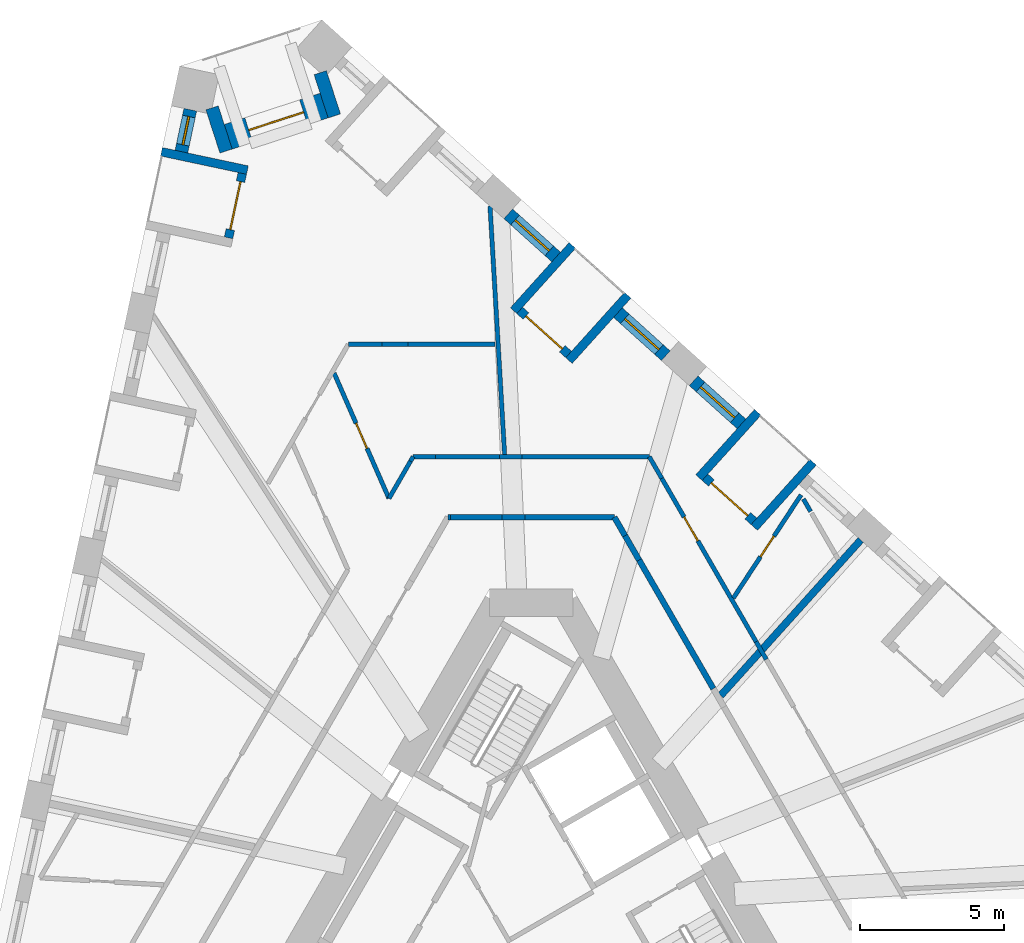
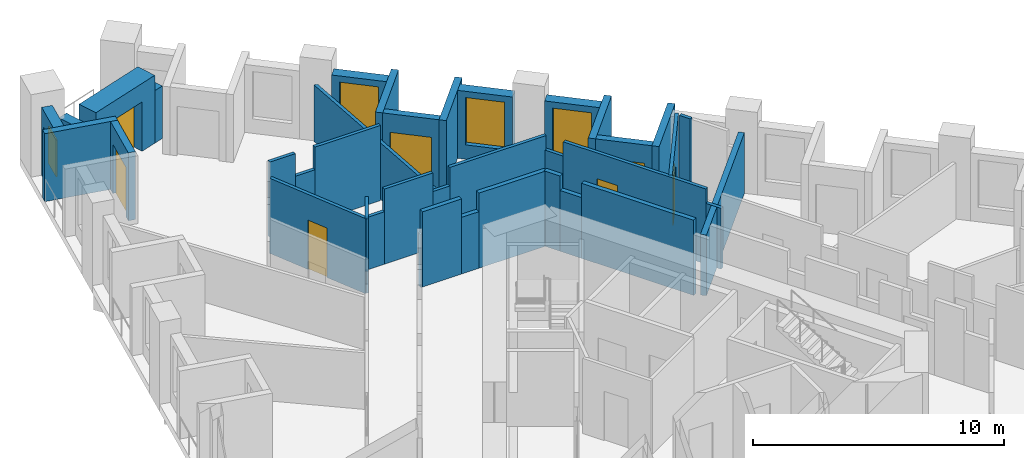
# One storey, part 8 of 12: 39 walls, 7 doors, 4 windows, 11 openings.
"""IFC4 building model written with IfcOpenShell, lengths in metres."""

import ifcopenshell
import ifcopenshell.guid

model = None  # the IFC model being written
_history = None  # IfcOwnerHistory: only IFC2X3 demands one
_inside = {}  # id of a spatial element -> (the spatial element, [elements in it])
_under = {}  # id of a project, library or spatial element -> (it, [spatial elements below it])
_declared = {}  # id of a project -> (the project, [libraries it declares])
_typed = {}  # id of a type object -> (the type object, [elements of that type])
_made_of = {}  # id of a material, layer set ... -> (it, [elements and type objects made of it])


def new_model(schema):
    """Start an empty IFC model of exactly this schema.

    Asked for "IFC4X3", IfcOpenShell would pick the latest addendum, in which some entities
    have other attributes; the version numbers below select the first issue.
    IFC2X3 requires an IfcOwnerHistory on every rooted entity: one is made here for all.
    """
    global model, _history
    if schema == "IFC4X3":
        model = ifcopenshell.file(schema_version=(4, 3, 0, 0))
    else:
        model = ifcopenshell.file(schema=schema)
    _inside.clear()
    _under.clear()
    _declared.clear()
    _typed.clear()
    _made_of.clear()
    _history = None
    if model.schema == "IFC2X3":
        org = make("IfcOrganization", Name="unknown")
        user = make(
            "IfcPersonAndOrganization",
            ThePerson=make("IfcPerson", FamilyName="unknown"),
            TheOrganization=org,
        )
        app = make(
            "IfcApplication",
            ApplicationDeveloper=org,
            Version="unknown",
            ApplicationFullName="unknown",
            ApplicationIdentifier="unknown",
        )
        _history = make(
            "IfcOwnerHistory",
            OwningUser=user,
            OwningApplication=app,
            ChangeAction="ADDED",
            CreationDate=0,
        )
    return model


def make(cls, **values):
    """One entity of the class cls with the attributes given. An attribute that is None is left unset."""
    return model.create_entity(
        cls, **{name: value for name, value in values.items() if value is not None}
    )


def rooted(cls, **values):
    """An entity with a GlobalId (a new one), such as an element, a storey or a relation."""
    return make(cls, GlobalId=ifcopenshell.guid.new(), OwnerHistory=_history, **values)


def si_unit(unit_type, name, prefix=None):
    """IfcSIUnit, for example si_unit("LENGTHUNIT", "METRE", prefix="MILLI")."""
    return make("IfcSIUnit", UnitType=unit_type, Prefix=prefix, Name=name)


def assignment(units):
    """IfcUnitAssignment: the units of a project."""
    return None if units is None else make("IfcUnitAssignment", Units=units)


def point(xyz):
    """IfcCartesianPoint."""
    return None if xyz is None else make("IfcCartesianPoint", Coordinates=xyz)


def direction(xyz):
    """IfcDirection."""
    return None if xyz is None else make("IfcDirection", DirectionRatios=xyz)


def frame(location, z_axis=None, x_axis=None):
    """IfcAxis2Placement3D, a coordinate frame: its origin and axes. An axis left out is left unset."""
    return make(
        "IfcAxis2Placement3D",
        Location=point(location),
        Axis=direction(z_axis),
        RefDirection=direction(x_axis),
    )


def frame_2d(location, x_axis=None):
    """IfcAxis2Placement2D, a coordinate frame in the plane: its origin and x axis."""
    return make(
        "IfcAxis2Placement2D", Location=point(location), RefDirection=direction(x_axis)
    )


def origin():
    """The frame at (0, 0, 0) with its axes left unset."""
    return frame((0.0, 0.0, 0.0))


def place(relative_to, where):
    """IfcLocalPlacement: puts the frame where relative to a parent placement (None: the world)."""
    return make(
        "IfcLocalPlacement", PlacementRelTo=relative_to, RelativePlacement=where
    )


def context(
    kind, dimensions, precision=None, world=None, true_north=None, identifier=None
):
    """IfcGeometricRepresentationContext, for example the 3D "Model" context."""
    return make(
        "IfcGeometricRepresentationContext",
        ContextIdentifier=identifier,
        ContextType=kind,
        CoordinateSpaceDimension=dimensions,
        Precision=precision,
        WorldCoordinateSystem=world,
        TrueNorth=true_north,
    )


def subcontext(parent, identifier, kind, view, scale=None):
    """IfcGeometricRepresentationSubContext, for example "Body" below "Model"."""
    return make(
        "IfcGeometricRepresentationSubContext",
        ContextIdentifier=identifier,
        ContextType=kind,
        ParentContext=parent,
        TargetScale=scale,
        TargetView=view,
    )


def project(units=None, contexts=None):
    """IfcProject with its units and contexts."""
    return rooted(
        "IfcProject",
        Name="project",
        RepresentationContexts=contexts,
        UnitsInContext=assignment(units),
    )


def spatial(cls, under=None, at=None, **own):
    """A site, building, storey or space (cls), placed at a placement, below another one or the project."""
    s = rooted(cls, ObjectPlacement=at, **own)
    if under is not None:
        _under.setdefault(under.id(), (under, []))[1].append(s)
    return s


def profile(cls, at=None, kind="AREA", **sizes):
    """A parametric profile (cls). Its sizes go by their IFC names, for example OverallWidth=200.0."""
    return make(cls, ProfileType=kind, Position=at, **sizes)


def rectangle(**sizes):
    """IfcRectangleProfileDef."""
    return profile("IfcRectangleProfileDef", **sizes)


def extrude(swept, where, along, depth):
    """IfcExtrudedAreaSolid: the profile swept, set in the frame where, extruded along a direction by depth."""
    return make(
        "IfcExtrudedAreaSolid",
        SweptArea=swept,
        Position=where,
        ExtrudedDirection=direction(along),
        Depth=depth,
    )


def shape(context_of_items, identifier, shape_type, items):
    """IfcShapeRepresentation: the items that make up one representation, for example the "Body"."""
    return make(
        "IfcShapeRepresentation",
        ContextOfItems=context_of_items,
        RepresentationIdentifier=identifier,
        RepresentationType=shape_type,
        Items=items,
    )


def material(Name=None, Category=None):
    """IfcMaterial."""
    return make("IfcMaterial", Name=Name, Category=Category)


def layer(
    of_material, thickness, ventilated=None, Name=None, Category=None, Priority=None
):
    """IfcMaterialLayer: one layer of a wall or slab, of a material (None: an air gap)."""
    return make(
        "IfcMaterialLayer",
        Material=of_material,
        LayerThickness=thickness,
        IsVentilated=ventilated,
        Name=Name,
        Category=Category,
        Priority=Priority,
    )


def layer_set(layers, Name=None):
    """IfcMaterialLayerSet."""
    return make("IfcMaterialLayerSet", MaterialLayers=layers, LayerSetName=Name)


def made_of(thing, what):
    """Note that an element or type object is made of a material, layer set ...; save() writes the relation."""
    if what is not None:
        _made_of.setdefault(what.id(), (what, []))[1].append(thing)
    return thing


def type_object(cls, material=None, **own):
    """A type object (cls), such as IfcWallType, which elements share."""
    return made_of(rooted(cls, **own), material)


def element(
    cls,
    number,
    at=None,
    inside=None,
    cuts=None,
    type_object=None,
    material=None,
    context=None,
    identifier="Body",
    shape_type=None,
    held_by="IfcProductDefinitionShape",
    body=None,
    shapes=None,
    **own,
):
    """One element of the class cls, such as IfcWall. Its Tag is "e" and its number.

    at: its placement. inside: the storey or other place that contains it. cuts: it is an
    opening in that element (IfcRelVoidsElement). A single representation is given by context,
    identifier, shape_type and body (its items); several are given by shapes. held_by: the class
    of the entity that holds the representations. save() writes the other relations.
    """
    e = rooted(cls, Tag="e%d" % number, ObjectPlacement=at, **own)
    if body is not None:
        shapes = [shape(context, identifier, shape_type, body)]
    if shapes is not None:
        e.Representation = make(held_by, Representations=shapes)
    if inside is not None:
        _inside.setdefault(inside.id(), (inside, []))[1].append(e)
    if cuts is not None:
        rooted(
            "IfcRelVoidsElement", RelatingBuildingElement=cuts, RelatedOpeningElement=e
        )
    if type_object is not None:
        _typed.setdefault(type_object.id(), (type_object, []))[1].append(e)
    return made_of(e, material)


def fill(opening, filler):
    """IfcRelFillsElement: the door or window that sits in an opening."""
    return rooted(
        "IfcRelFillsElement",
        RelatingOpeningElement=opening,
        RelatedBuildingElement=filler,
    )


def aggregate(whole, parts):
    """IfcRelAggregates: a whole, such as a stair, and the parts it consists of."""
    return rooted("IfcRelAggregates", RelatingObject=whole, RelatedObjects=parts)


def save(model, path):
    """Write the relations noted so far, then the file.

    IfcRelAggregates (storeys below a building ...), IfcRelContainedInSpatialStructure (elements
    in a storey), IfcRelDefinesByType, IfcRelAssociatesMaterial and IfcRelDeclares: one each for
    every whole, place, type object, material and project.
    """
    for whole, parts in _under.values():
        aggregate(whole, parts)
    for where, things in _inside.values():
        rooted(
            "IfcRelContainedInSpatialStructure",
            RelatedElements=things,
            RelatingStructure=where,
        )
    for kind, things in _typed.values():
        rooted("IfcRelDefinesByType", RelatedObjects=things, RelatingType=kind)
    for what, things in _made_of.values():
        rooted("IfcRelAssociatesMaterial", RelatedObjects=things, RelatingMaterial=what)
    for by, libraries in _declared.values():
        rooted("IfcRelDeclares", RelatingContext=by, RelatedDefinitions=libraries)
    model.write(path)


model = new_model("IFC4")

# Units and contexts
model_context = context("Model", 3, precision=1e-05, world=origin(), true_north=direction((0.0, 1.0)))
body_context = subcontext(model_context, "Body", "Model", "MODEL_VIEW")
ifc_project = project(units=[si_unit("LENGTHUNIT", "METRE"), si_unit("AREAUNIT", "SQUARE_METRE"), si_unit("VOLUMEUNIT", "CUBIC_METRE"), si_unit("PLANEANGLEUNIT", "RADIAN"), si_unit("MASSUNIT", "GRAM", prefix="KILO")], contexts=[model_context])

# Site, building, storey
site_placement = place(None, origin())
site = spatial("IfcSite", under=ifc_project, at=site_placement, CompositionType="ELEMENT")
building_placement = place(site_placement, origin())
building = spatial("IfcBuilding", under=site, at=building_placement, Name="Tramontana Tower", CompositionType="ELEMENT")
storey_placement = place(building_placement, frame((0.0, 0.0, 88.39990234375)))
storey = spatial("IfcBuildingStorey", under=building, at=storey_placement, Name="L19", CompositionType="ELEMENT", Elevation=88.39990234375)

# Walls
ifc_material_1 = material(Name="Blockwork", Category="masonry")
ifc_layer_1 = layer(ifc_material_1, 0.199951171875)
ifc_layer_set_1 = layer_set([ifc_layer_1], Name="ENTRY WALL 200")
wall_type_1 = type_object("IfcWallType", Name="ENTRY WALL 200", PredefinedType="SOLIDWALL", material=ifc_layer_set_1)
wall_1_placement = place(storey_placement, frame((2.88671875, 13.5, 0.0), z_axis=(0.0, 0.0, 1.0), x_axis=(0.499987686533, -0.866032512851, 0.0)))
element("IfcWall", 1, at=wall_1_placement, inside=storey, type_object=wall_type_1, Name="Wall v20-ew0-0", PredefinedType="SOLIDWALL", context=body_context, shape_type="SweptSolid", body=[
    extrude(rectangle(XDim=0.74365234375, YDim=0.199951171875, at=frame_2d((0.371826171875, 0.0))), origin(), (0.0, 0.0, 1.0), 3.650146484375),
])
wall_2_placement = place(storey_placement, frame((3.258544921875, 12.85595703125, 0.0), z_axis=(0.0, 0.0, 1.0), x_axis=(0.500061185694, -0.865990075325, 0.0)))
element("IfcWall", 2, at=wall_2_placement, inside=storey, type_object=wall_type_1, Name="Wall v20-ew0-1", PredefinedType="SOLIDWALL", context=body_context, shape_type="SweptSolid", body=[
    extrude(rectangle(XDim=0.9775390625, YDim=0.199951171875, at=frame_2d((0.48876953125, 0.0))), origin(), (0.0, 0.0, 1.0), 2.9501953125),
])
wall_3_placement = place(storey_placement, frame((3.747314453125, 12.009521484375, 0.0), z_axis=(0.0, 0.0, 1.0), x_axis=(0.500001317485, -0.866024643133, 0.0)))
element("IfcWall", 3, at=wall_3_placement, inside=storey, type_object=wall_type_1, Name="Wall v20-ew0-2", PredefinedType="SOLIDWALL", context=body_context, shape_type="SweptSolid", body=[
    extrude(rectangle(XDim=5.1533203125, YDim=0.199951171875, at=frame_2d((2.57666015625, 0.0))), origin(), (0.0, 0.0, 1.0), 3.650146484375),
])
wall_4_placement = place(storey_placement, frame((-2.88671875, 13.5, 0.0), z_axis=(0.0, 0.0, 1.0), x_axis=(1.0, 0.0, 0.0)))
element("IfcWall", 4, at=wall_4_placement, inside=storey, type_object=wall_type_1, Name="Wall v20-ew5-0", PredefinedType="SOLIDWALL", context=body_context, shape_type="SweptSolid", body=[
    extrude(rectangle(XDim=0.079833984375, YDim=0.199951171875, at=frame_2d((0.0400390625, 0.0))), origin(), (0.0, 0.0, 1.0), 2.550048828125),
])
wall_5_placement = place(storey_placement, frame((-2.806884765625, 13.5, 0.0), z_axis=(0.0, 0.0, 1.0), x_axis=(1.0, 0.0, 0.0)))
element("IfcWall", 5, at=wall_5_placement, inside=storey, type_object=wall_type_1, Name="Wall v20-ew5-1", PredefinedType="SOLIDWALL", context=body_context, shape_type="SweptSolid", body=[
    extrude(rectangle(XDim=1.7880859375, YDim=0.199951171875, at=frame_2d((0.89404296875, 0.0))), origin(), (0.0, 0.0, 1.0), 3.650146484375),
])
wall_6_placement = place(storey_placement, frame((-1.018798828125, 13.5, 0.0), z_axis=(0.0, 0.0, 1.0), x_axis=(1.0, 0.0, 0.0)))
element("IfcWall", 6, at=wall_6_placement, inside=storey, type_object=wall_type_1, Name="Wall v20-ew5-2", PredefinedType="SOLIDWALL", context=body_context, shape_type="SweptSolid", body=[
    extrude(rectangle(XDim=0.80078125, YDim=0.199951171875, at=frame_2d((0.400390625, 0.0))), origin(), (0.0, 0.0, 1.0), 2.75),
])
wall_7_placement = place(storey_placement, frame((-0.218017578125, 13.5, 0.0), z_axis=(0.0, 0.0, 1.0), x_axis=(1.0, 0.0, 0.0)))
element("IfcWall", 7, at=wall_7_placement, inside=storey, type_object=wall_type_1, Name="Wall v20-ew5-3", PredefinedType="SOLIDWALL", context=body_context, shape_type="SweptSolid", body=[
    extrude(rectangle(XDim=3.104736328125, YDim=0.199951171875, at=frame_2d((1.55224609375, 0.0))), origin(), (0.0, 0.0, 1.0), 3.650146484375),
])

# Wall, opening, window
ifc_material_2 = material(Name="Precast concrete 60 MPa", Category="concrete")
ifc_layer_2 = layer(ifc_material_2, 0.449951171875)
ifc_layer_set_2 = layer_set([ifc_layer_2], Name="Precast concrete 60 MPa, 450 mm")
wall_type_2 = type_object("IfcWallType", Name="EW1 Stone-faced precast wall 450", PredefinedType="SOLIDWALL", material=ifc_layer_set_2)
wall_8_placement = place(storey_placement, frame((-11.835693359375, 27.645751953125, 0.0), z_axis=(0.0, 0.0, 1.0), x_axis=(-0.207880358131, -0.978154260178, 0.0)))
wall_8 = element("IfcWall", 8, at=wall_8_placement, inside=storey, type_object=wall_type_2, Name="External wall L19 face 0 bay 1", PredefinedType="SOLIDWALL", context=body_context, shape_type="SweptSolid", body=[
    extrude(rectangle(XDim=1.48681640625, YDim=0.449951171875, at=frame_2d((0.743408203125, 0.0))), origin(), (0.0, 0.0, 1.0), 3.300048828125),
])
opening_1_placement = place(wall_8_placement, frame((0.243408203125, 0.0, 0.699951171875)))
opening_1 = element("IfcOpeningElement", 9, at=opening_1_placement, cuts=wall_8, Name="Opening N1L", PredefinedType="OPENING", context=body_context, shape_type="SweptSolid", body=[
    extrude(rectangle(XDim=1.0, YDim=1.800048828125, at=frame_2d((0.5, 0.89990234375))), frame((0.0, 0.23486328125, 0.0), z_axis=(0.0, -1.0, 0.0), x_axis=(1.0, 0.0, 0.0)), (0.0, 0.0, 1.0), 0.469970703125),
])
ifc_material_3 = material(Name="Aluminum frame, double glazing unit", Category="aluminium")
window_type_1 = type_object("IfcWindowType", Name="N1L Window 1 x 1.8", PartitioningType="SINGLE_PANEL", PredefinedType="WINDOW", material=ifc_material_3)
window_1_placement = place(opening_1_placement, origin())
window_1 = element("IfcWindow", 10, at=window_1_placement, inside=storey, type_object=window_type_1, Name="Window N1L L19 face 0 module 1", OverallHeight=1.800048828125, OverallWidth=1.0, PartitioningType="SINGLE_PANEL", PredefinedType="WINDOW", context=body_context, shape_type="SweptSolid", body=[
    extrude(rectangle(XDim=1.0, YDim=1.800048828125, at=frame_2d((0.5, 0.89990234375))), frame((0.0, 0.030029296875, 0.0), z_axis=(0.0, -1.0, 0.0), x_axis=(1.0, 0.0, 0.0)), (0.0, 0.0, 1.0), 0.06005859375),
])
fill(opening_1, window_1)

wall_9_placement = place(storey_placement, frame((7.30224609375, 16.73828125, 0.0), z_axis=(0.0, 0.0, 1.0), x_axis=(-0.743191019375, 0.669079299276, 0.0)))
wall_9 = element("IfcWall", 11, at=wall_9_placement, inside=storey, type_object=wall_type_2, Name="External wall L19 face 2 bay 4", PredefinedType="SOLIDWALL", context=body_context, shape_type="SweptSolid", body=[
    extrude(rectangle(XDim=2.23681640625, YDim=0.449951171875, at=frame_2d((1.118408203125, 0.0))), origin(), (0.0, 0.0, 1.0), 3.300048828125),
])
opening_2_placement = place(wall_9_placement, frame((0.318359375, 0.0, 0.699951171875)))
opening_2 = element("IfcOpeningElement", 12, at=opening_2_placement, cuts=wall_9, Name="Opening M1", PredefinedType="OPENING", context=body_context, shape_type="SweptSolid", body=[
    extrude(rectangle(XDim=1.60009765625, YDim=2.300048828125, at=frame_2d((0.800048828125, 1.14990234375))), frame((0.0, 0.23486328125, 0.0), z_axis=(0.0, -1.0, 0.0), x_axis=(1.0, 0.0, 0.0)), (0.0, 0.0, 1.0), 0.469970703125),
])
ifc_material_4 = material(Name="Aluminum frame, double glazing unit", Category="aluminium")
window_type_2 = type_object("IfcWindowType", Name="M1 Window 1.6 x 2.3", PartitioningType="SINGLE_PANEL", PredefinedType="WINDOW", material=ifc_material_4)
window_2_placement = place(opening_2_placement, origin())
window_2 = element("IfcWindow", 13, at=window_2_placement, inside=storey, type_object=window_type_2, Name="Window M1 L19 face 2 module 12", OverallHeight=2.300048828125, OverallWidth=1.60009765625, PartitioningType="SINGLE_PANEL", PredefinedType="WINDOW", context=body_context, shape_type="SweptSolid", body=[
    extrude(rectangle(XDim=1.60009765625, YDim=2.300048828125, at=frame_2d((0.800048828125, 1.14990234375))), frame((0.0, 0.030029296875, 0.0), z_axis=(0.0, -1.0, 0.0), x_axis=(1.0, 0.0, 0.0)), (0.0, 0.0, 1.0), 0.06005859375),
])
fill(opening_2, window_2)

wall_10_placement = place(storey_placement, frame((4.673828125, 19.104736328125, 0.0), z_axis=(0.0, 0.0, 1.0), x_axis=(-0.743191019375, 0.669079299276, 0.0)))
wall_10 = element("IfcWall", 14, at=wall_10_placement, inside=storey, type_object=wall_type_2, Name="External wall L19 face 2 bay 5", PredefinedType="SOLIDWALL", context=body_context, shape_type="SweptSolid", body=[
    extrude(rectangle(XDim=2.23681640625, YDim=0.449951171875, at=frame_2d((1.118408203125, 0.0))), origin(), (0.0, 0.0, 1.0), 3.300048828125),
])
opening_3_placement = place(wall_10_placement, frame((0.318359375, 0.0, 0.699951171875)))
opening_3 = element("IfcOpeningElement", 15, at=opening_3_placement, cuts=wall_10, Name="Opening M1", PredefinedType="OPENING", context=body_context, shape_type="SweptSolid", body=[
    extrude(rectangle(XDim=1.60009765625, YDim=2.300048828125, at=frame_2d((0.800048828125, 1.14990234375))), frame((0.0, 0.23486328125, 0.0), z_axis=(0.0, -1.0, 0.0), x_axis=(1.0, 0.0, 0.0)), (0.0, 0.0, 1.0), 0.469970703125),
])
window_3_placement = place(opening_3_placement, origin())
window_3 = element("IfcWindow", 16, at=window_3_placement, inside=storey, type_object=window_type_2, Name="Window M1 L19 face 2 module 13", OverallHeight=2.300048828125, OverallWidth=1.60009765625, PartitioningType="SINGLE_PANEL", PredefinedType="WINDOW", context=body_context, shape_type="SweptSolid", body=[
    extrude(rectangle(XDim=1.60009765625, YDim=2.300048828125, at=frame_2d((0.800048828125, 1.14990234375))), frame((0.0, 0.030029296875, 0.0), z_axis=(0.0, -1.0, 0.0), x_axis=(1.0, 0.0, 0.0)), (0.0, 0.0, 1.0), 0.06005859375),
])
fill(opening_3, window_3)

wall_11_placement = place(storey_placement, frame((0.8662109375, 22.532958984375, 0.0), z_axis=(0.0, 0.0, 1.0), x_axis=(-0.743087873176, 0.669193852885, 0.0)))
wall_11 = element("IfcWall", 17, at=wall_11_placement, inside=storey, type_object=wall_type_2, Name="External wall L19 face 2 bay 5", PredefinedType="SOLIDWALL", context=body_context, shape_type="SweptSolid", body=[
    extrude(rectangle(XDim=2.23681640625, YDim=0.449951171875, at=frame_2d((1.118408203125, 0.0))), origin(), (0.0, 0.0, 1.0), 3.300048828125),
])
opening_4_placement = place(wall_11_placement, frame((0.318359375, 0.0, 0.699951171875)))
opening_4 = element("IfcOpeningElement", 18, at=opening_4_placement, cuts=wall_11, Name="Opening M1", PredefinedType="OPENING", context=body_context, shape_type="SweptSolid", body=[
    extrude(rectangle(XDim=1.60009765625, YDim=2.300048828125, at=frame_2d((0.800048828125, 1.14990234375))), frame((0.0, 0.23486328125, 0.0), z_axis=(0.0, -1.0, 0.0), x_axis=(1.0, 0.0, 0.0)), (0.0, 0.0, 1.0), 0.469970703125),
])
window_4_placement = place(opening_4_placement, origin())
window_4 = element("IfcWindow", 19, at=window_4_placement, inside=storey, type_object=window_type_2, Name="Window M1 L19 face 2 module 15", OverallHeight=2.300048828125, OverallWidth=1.60009765625, PartitioningType="SINGLE_PANEL", PredefinedType="WINDOW", context=body_context, shape_type="SweptSolid", body=[
    extrude(rectangle(XDim=1.60009765625, YDim=2.300048828125, at=frame_2d((0.800048828125, 1.14990234375))), frame((0.0, 0.030029296875, 0.0), z_axis=(0.0, -1.0, 0.0), x_axis=(1.0, 0.0, 0.0)), (0.0, 0.0, 1.0), 0.06005859375),
])
fill(opening_4, window_4)

# Walls
for number, where, z_axis, x_axis, name in (
    (20, (-11.08056640625, 27.71142578125, 0.0), (0.0, 0.0, 1.0), (0.309030142399, -0.951052244143, 0.0), "Corner loggia side wall L19 K20l"),
    (21, (-7.323974609375, 28.93212890625, 0.0), (0.0, 0.0, 1.0), (0.309030142399, -0.951052244143, 0.0), "Corner loggia side wall L19 K20r"),
):
    element("IfcWall", number, at=place(storey_placement, frame(where, z_axis=z_axis, x_axis=x_axis)), inside=storey, type_object=wall_type_2, Name=name, PredefinedType="SOLIDWALL", context=body_context, shape_type="SweptSolid", body=[
        extrude(rectangle(XDim=1.579345703125, YDim=0.449951171875, at=frame_2d((0.78955078125, 0.0))), origin(), (0.0, 0.0, 1.0), 2.550048828125),
    ])

# Wall, opening, door
ifc_material_5 = material(Name="Precast concrete 60 MPa", Category="concrete")
ifc_layer_3 = layer(ifc_material_5, 0.89990234375)
ifc_layer_set_3 = layer_set([ifc_layer_3], Name="EW2 Stone-faced corner loggia wall 900")
wall_type_3 = type_object("IfcWallType", Name="EW2 Stone-faced corner loggia wall 900", PredefinedType="SOLIDWALL", material=ifc_layer_set_3)
wall_12_placement = place(storey_placement, frame((-10.517578125, 26.70703125, 0.0), z_axis=(0.0, 0.0, 1.0), x_axis=(0.951055596592, 0.309019824916, 0.0)))
wall_12 = element("IfcWall", 22, at=wall_12_placement, inside=storey, type_object=wall_type_3, Name="Corner loggia wall L19 K20", PredefinedType="SOLIDWALL", context=body_context, shape_type="SweptSolid", body=[
    extrude(rectangle(XDim=3.5, YDim=0.89990234375, at=frame_2d((1.75, 0.0))), origin(), (0.0, 0.0, 1.0), 3.300048828125),
])
opening_5_placement = place(wall_12_placement, frame((0.75, 0.0, 0.0)))
opening_5 = element("IfcOpeningElement", 23, at=opening_5_placement, cuts=wall_12, Name="Opening BD-20C", PredefinedType="OPENING", context=body_context, shape_type="SweptSolid", body=[
    extrude(rectangle(XDim=2.0, YDim=2.39990234375, at=frame_2d((1.0, 1.199951171875))), frame((0.0, 0.4599609375, 0.0), z_axis=(0.0, -1.0, 0.0), x_axis=(1.0, 0.0, 0.0)), (0.0, 0.0, 1.0), 0.919921875),
])
ifc_material_6 = material(Name="Aluminum frame, double glazing unit", Category="aluminium")
door_type_1 = type_object("IfcDoorType", Name="BC1 Sliding door 2 x 2.4", OperationType="SLIDING_TO_LEFT", PredefinedType="DOOR", material=ifc_material_6)
door_1_placement = place(opening_5_placement, origin())
door_1 = element("IfcDoor", 24, at=door_1_placement, inside=storey, type_object=door_type_1, Name="Corner loggia door L19 K20", OperationType="SLIDING_TO_LEFT", OverallHeight=2.39990234375, OverallWidth=2.0, PredefinedType="DOOR", context=body_context, shape_type="SweptSolid", body=[
    extrude(rectangle(XDim=2.0, YDim=2.39990234375, at=frame_2d((1.0, 1.199951171875))), frame((0.0, 0.02490234375, 0.0), z_axis=(0.0, -1.0, 0.0), x_axis=(1.0, 0.0, 0.0)), (0.0, 0.0, 1.0), 0.050048828125),
])
fill(opening_5, door_1)

ifc_material_7 = material(Name="Precast concrete 60 MPa", Category="concrete")
ifc_layer_4 = layer(ifc_material_7, 0.300048828125)
ifc_layer_set_4 = layer_set([ifc_layer_4], Name="LW1 Stone-faced loggia wall 300")
wall_type_4 = type_object("IfcWallType", Name="LW1 Stone-faced loggia wall 300", PredefinedType="SOLIDWALL", material=ifc_layer_set_4)
wall_13_placement = place(storey_placement, frame((-10.031005859375, 25.435302734375, 0.0), z_axis=(0.0, 0.0, 1.0), x_axis=(-0.207866417042, -0.978157222877, 0.0)))
wall_13 = element("IfcWall", 25, at=wall_13_placement, inside=storey, type_object=wall_type_4, Name="Loggia wall L19 G2S0.1", PredefinedType="SOLIDWALL", context=body_context, shape_type="SweptSolid", body=[
    extrude(rectangle(XDim=2.286865234375, YDim=0.300048828125, at=frame_2d((1.1435546875, 0.0))), origin(), (0.0, 0.0, 1.0), 3.300048828125),
])
opening_6_placement = place(wall_13_placement, frame((0.29345703125, 0.0, 0.0)))
opening_6 = element("IfcOpeningElement", 26, at=opening_6_placement, cuts=wall_13, Name="Opening BD-2S0-01", PredefinedType="OPENING", context=body_context, shape_type="SweptSolid", body=[
    extrude(rectangle(XDim=1.699951171875, YDim=2.39990234375, at=frame_2d((0.85009765625, 1.199951171875))), frame((0.0, 0.159912109375, 0.0), z_axis=(0.0, -1.0, 0.0), x_axis=(1.0, 0.0, 0.0)), (0.0, 0.0, 1.0), 0.320068359375),
])
ifc_material_8 = material(Name="Aluminum frame, double glazing unit", Category="aluminium")
door_type_2 = type_object("IfcDoorType", Name="BD1 Sliding door 1.7 x 2.4", OperationType="SLIDING_TO_LEFT", PredefinedType="DOOR", material=ifc_material_8)
door_2_placement = place(opening_6_placement, origin())
door_2 = element("IfcDoor", 27, at=door_2_placement, inside=storey, type_object=door_type_2, Name="Loggia door L19 G2S0.1", OperationType="SLIDING_TO_LEFT", OverallHeight=2.39990234375, OverallWidth=1.699951171875, PredefinedType="DOOR", context=body_context, shape_type="SweptSolid", body=[
    extrude(rectangle(XDim=1.699951171875, YDim=2.39990234375, at=frame_2d((0.85009765625, 1.199951171875))), frame((0.0, 0.02490234375, 0.0), z_axis=(0.0, -1.0, 0.0), x_axis=(1.0, 0.0, 0.0)), (0.0, 0.0, 1.0), 0.050048828125),
])
fill(opening_6, door_2)

# Wall
wall_14_placement = place(storey_placement, frame((-12.83642578125, 26.18505859375, 0.0), z_axis=(0.0, 0.0, 1.0), x_axis=(0.978154782045, -0.207877902534, 0.0)))
element("IfcWall", 28, at=wall_14_placement, inside=storey, type_object=wall_type_4, Name="Loggia return L19 G2S0.1a", PredefinedType="SOLIDWALL", context=body_context, shape_type="SweptSolid", body=[
    extrude(rectangle(XDim=3.050048828125, YDim=0.300048828125, at=frame_2d((1.52490234375, 0.0))), origin(), (0.0, 0.0, 1.0), 3.300048828125),
])

# Wall, opening, door
wall_15_placement = place(storey_placement, frame((7.735595703125, 13.353759765625, 0.0), z_axis=(0.0, 0.0, 1.0), x_axis=(-0.743081759278, 0.669200641832, 0.0)))
wall_15 = element("IfcWall", 29, at=wall_15_placement, inside=storey, type_object=wall_type_4, Name="Loggia wall L19 G2S2.10", PredefinedType="SOLIDWALL", context=body_context, shape_type="SweptSolid", body=[
    extrude(rectangle(XDim=2.28662109375, YDim=0.300048828125, at=frame_2d((1.143310546875, 0.0))), origin(), (0.0, 0.0, 1.0), 3.300048828125),
])
opening_7_placement = place(wall_15_placement, frame((0.29345703125, 0.0, 0.0)))
opening_7 = element("IfcOpeningElement", 30, at=opening_7_placement, cuts=wall_15, Name="Opening BD-2S2-10", PredefinedType="OPENING", context=body_context, shape_type="SweptSolid", body=[
    extrude(rectangle(XDim=1.699951171875, YDim=2.39990234375, at=frame_2d((0.85009765625, 1.199951171875))), frame((0.0, 0.159912109375, 0.0), z_axis=(0.0, -1.0, 0.0), x_axis=(1.0, 0.0, 0.0)), (0.0, 0.0, 1.0), 0.320068359375),
])
door_3_placement = place(opening_7_placement, origin())
door_3 = element("IfcDoor", 31, at=door_3_placement, inside=storey, type_object=door_type_2, Name="Loggia door L19 G2S2.10", OperationType="SLIDING_TO_LEFT", OverallHeight=2.39990234375, OverallWidth=1.699951171875, PredefinedType="DOOR", context=body_context, shape_type="SweptSolid", body=[
    extrude(rectangle(XDim=1.699951171875, YDim=2.39990234375, at=frame_2d((0.85009765625, 1.199951171875))), frame((0.0, 0.02490234375, 0.0), z_axis=(0.0, -1.0, 0.0), x_axis=(1.0, 0.0, 0.0)), (0.0, 0.0, 1.0), 0.050048828125),
])
fill(opening_7, door_3)

# Walls
for number, where, z_axis, x_axis, name in (
    (32, (9.78759765625, 15.40869140625, 0.0), (0.0, 0.0, 1.0), (-0.669115082961, -0.743158802514, 0.0), "Loggia return L19 G2S2.10a"),
    (33, (7.865234375, 17.139404296875, 0.0), (0.0, 0.0, 1.0), (-0.669115082961, -0.743158802514, 0.0), "Loggia return L19 G2S2.10b"),
):
    element("IfcWall", number, at=place(storey_placement, frame(where, z_axis=z_axis, x_axis=x_axis)), inside=storey, type_object=wall_type_4, Name=name, PredefinedType="SOLIDWALL", context=body_context, shape_type="SweptSolid", body=[
        extrude(rectangle(XDim=3.050048828125, YDim=0.300048828125, at=frame_2d((1.52490234375, 0.0))), origin(), (0.0, 0.0, 1.0), 3.300048828125),
    ])

# Wall, opening, door
wall_16_placement = place(storey_placement, frame((1.2998046875, 19.148681640625, 0.0), z_axis=(0.0, 0.0, 1.0), x_axis=(-0.743182653308, 0.669088591909, 0.0)))
wall_16 = element("IfcWall", 34, at=wall_16_placement, inside=storey, type_object=wall_type_4, Name="Loggia wall L19 G2S2.13", PredefinedType="SOLIDWALL", context=body_context, shape_type="SweptSolid", body=[
    extrude(rectangle(XDim=2.28662109375, YDim=0.300048828125, at=frame_2d((1.143310546875, 0.0))), origin(), (0.0, 0.0, 1.0), 3.300048828125),
])
opening_8_placement = place(wall_16_placement, frame((0.29345703125, 0.0, 0.0)))
opening_8 = element("IfcOpeningElement", 35, at=opening_8_placement, cuts=wall_16, Name="Opening BD-2S2-13", PredefinedType="OPENING", context=body_context, shape_type="SweptSolid", body=[
    extrude(rectangle(XDim=1.699951171875, YDim=2.39990234375, at=frame_2d((0.85009765625, 1.199951171875))), frame((0.0, 0.159912109375, 0.0), z_axis=(0.0, -1.0, 0.0), x_axis=(1.0, 0.0, 0.0)), (0.0, 0.0, 1.0), 0.320068359375),
])
door_4_placement = place(opening_8_placement, origin())
door_4 = element("IfcDoor", 36, at=door_4_placement, inside=storey, type_object=door_type_2, Name="Loggia door L19 G2S2.13", OperationType="SLIDING_TO_LEFT", OverallHeight=2.39990234375, OverallWidth=1.699951171875, PredefinedType="DOOR", context=body_context, shape_type="SweptSolid", body=[
    extrude(rectangle(XDim=1.699951171875, YDim=2.39990234375, at=frame_2d((0.85009765625, 1.199951171875))), frame((0.0, 0.02490234375, 0.0), z_axis=(0.0, -1.0, 0.0), x_axis=(1.0, 0.0, 0.0)), (0.0, 0.0, 1.0), 0.050048828125),
])
fill(opening_8, door_4)

# Walls
for number, where, z_axis, x_axis, name in (
    (37, (3.351806640625, 21.203369140625, 0.0), (0.0, 0.0, 1.0), (-0.669115082961, -0.743158802514, 0.0), "Loggia return L19 G2S2.13a"),
    (38, (1.429443359375, 22.934326171875, 0.0), (0.0, 0.0, 1.0), (-0.669115082961, -0.743158802514, 0.0), "Loggia return L19 G2S2.13b"),
):
    element("IfcWall", number, at=place(storey_placement, frame(where, z_axis=z_axis, x_axis=x_axis)), inside=storey, type_object=wall_type_4, Name=name, PredefinedType="SOLIDWALL", context=body_context, shape_type="SweptSolid", body=[
        extrude(rectangle(XDim=3.050048828125, YDim=0.300048828125, at=frame_2d((1.52490234375, 0.0))), origin(), (0.0, 0.0, 1.0), 3.300048828125),
    ])

# Wall, opening, door
ifc_material_9 = material(Name="Gypsum board partition")
ifc_layer_5 = layer(ifc_material_9, 0.14990234375)
ifc_layer_set_5 = layer_set([ifc_layer_5], Name="PARTITION 150")
wall_type_5 = type_object("IfcWallType", Name="PARTITION 150", PredefinedType="PARTITIONING", material=ifc_layer_set_5)
wall_17_placement = place(storey_placement, frame((-6.84228515625, 18.4990234375, 0.0), z_axis=(0.0, 0.0, 1.0), x_axis=(0.400991537582, -0.916081757698, 0.0)))
wall_17 = element("IfcWall", 39, at=wall_17_placement, inside=storey, type_object=wall_type_5, Name="Wall v20-pw14", PredefinedType="PARTITIONING", context=body_context, shape_type="SweptSolid", body=[
    extrude(rectangle(XDim=4.745849609375, YDim=0.14990234375, at=frame_2d((2.373046875, 0.0))), origin(), (0.0, 0.0, 1.0), 3.650146484375),
])
opening_9_placement = place(wall_17_placement, frame((1.89794921875, 0.0, 0.0)))
opening_9 = element("IfcOpeningElement", 40, at=opening_9_placement, cuts=wall_17, Name="Opening B2A-01", PredefinedType="OPENING", context=body_context, shape_type="SweptSolid", body=[
    extrude(rectangle(XDim=0.949951171875, YDim=2.39990234375, at=frame_2d((0.47509765625, 1.199951171875))), frame((0.0, 0.0849609375, 0.0), z_axis=(0.0, -1.0, 0.0), x_axis=(1.0, 0.0, 0.0)), (0.0, 0.0, 1.0), 0.169921875),
])
ifc_material_10 = material(Name="Painted timber", Category="wood")
door_type_3 = type_object("IfcDoorType", Name="DOOR ROOM 950", OperationType="SINGLE_SWING_LEFT", PredefinedType="DOOR", material=ifc_material_10)
door_5_placement = place(opening_9_placement, origin())
door_5 = element("IfcDoor", 41, at=door_5_placement, inside=storey, type_object=door_type_3, Name="Door B2A-01", OperationType="SINGLE_SWING_LEFT", OverallHeight=2.39990234375, OverallWidth=0.949951171875, PredefinedType="DOOR", context=body_context, shape_type="SweptSolid", body=[
    extrude(rectangle(XDim=0.949951171875, YDim=2.39990234375, at=frame_2d((0.47509765625, 1.199951171875))), frame((0.0, 0.02490234375, 0.0), z_axis=(0.0, -1.0, 0.0), x_axis=(1.0, 0.0, 0.0)), (0.0, 0.0, 1.0), 0.050048828125),
])
fill(opening_9, door_5)

# Walls
wall_18_placement = place(storey_placement, frame((-6.350830078125, 19.5, 0.0), z_axis=(0.0, 0.0, 1.0), x_axis=(1.0, 0.0, 0.0)))
element("IfcWall", 42, at=wall_18_placement, inside=storey, type_object=wall_type_5, Name="Wall v20-pw16-0", PredefinedType="PARTITIONING", context=body_context, shape_type="SweptSolid", body=[
    extrude(rectangle(XDim=1.177490234375, YDim=0.14990234375, at=frame_2d((0.5888671875, 0.0))), origin(), (0.0, 0.0, 1.0), 3.650146484375),
])
wall_19_placement = place(storey_placement, frame((-5.17333984375, 19.5, 0.0), z_axis=(0.0, 0.0, 1.0), x_axis=(1.0, 0.0, 0.0)))
element("IfcWall", 43, at=wall_19_placement, inside=storey, type_object=wall_type_5, Name="Wall v20-pw16-1", PredefinedType="PARTITIONING", context=body_context, shape_type="SweptSolid", body=[
    extrude(rectangle(XDim=0.900390625, YDim=0.14990234375, at=frame_2d((0.4501953125, 0.0))), origin(), (0.0, 0.0, 1.0), 2.550048828125),
])
wall_20_placement = place(storey_placement, frame((-4.27294921875, 19.5, 0.0), z_axis=(0.0, 0.0, 1.0), x_axis=(1.0, 0.0, 0.0)))
element("IfcWall", 44, at=wall_20_placement, inside=storey, type_object=wall_type_5, Name="Wall v20-pw16-2", PredefinedType="PARTITIONING", context=body_context, shape_type="SweptSolid", body=[
    extrude(rectangle(XDim=3.015380859375, YDim=0.14990234375, at=frame_2d((1.5078125, 0.0))), origin(), (0.0, 0.0, 1.0), 3.650146484375),
])
wall_21_placement = place(storey_placement, frame((-4.935546875, 14.1513671875, 0.0), z_axis=(0.0, 0.0, 1.0), x_axis=(0.500015540671, 0.866016431188, 0.0)))
element("IfcWall", 45, at=wall_21_placement, inside=storey, type_object=wall_type_5, Name="Wall v20-pw18-0", PredefinedType="PARTITIONING", context=body_context, shape_type="SweptSolid", body=[
    extrude(rectangle(XDim=1.490234375, YDim=0.14990234375, at=frame_2d((0.7451171875, 0.0))), origin(), (0.0, 0.0, 1.0), 3.650146484375),
])
wall_22_placement = place(storey_placement, frame((-4.1904296875, 15.44189453125, 0.0), z_axis=(0.0, 0.0, 1.0), x_axis=(0.50045593687, 0.865762008436, 0.0)))
element("IfcWall", 46, at=wall_22_placement, inside=storey, type_object=wall_type_5, Name="Wall v20-pw18-1", PredefinedType="PARTITIONING", context=body_context, shape_type="SweptSolid", body=[
    extrude(rectangle(XDim=0.182373046875, YDim=0.14990234375, at=frame_2d((0.09130859375, 0.0))), origin(), (0.0, 0.0, 1.0), 2.550048828125),
])
wall_23_placement = place(storey_placement, frame((-4.09912109375, 15.60009765625, 0.0), z_axis=(0.0, 0.0, 1.0), x_axis=(1.0, 0.0, 0.0)))
element("IfcWall", 47, at=wall_23_placement, inside=storey, type_object=wall_type_5, Name="Wall v20-pw19-0", PredefinedType="PARTITIONING", context=body_context, shape_type="SweptSolid", body=[
    extrude(rectangle(XDim=0.770751953125, YDim=0.14990234375, at=frame_2d((0.38525390625, 0.0))), origin(), (0.0, 0.0, 1.0), 2.550048828125),
])
wall_24_placement = place(storey_placement, frame((-3.328369140625, 15.60009765625, 0.0), z_axis=(0.0, 0.0, 1.0), x_axis=(1.0, 0.0, 0.0)))
element("IfcWall", 48, at=wall_24_placement, inside=storey, type_object=wall_type_5, Name="Wall v20-pw19-1", PredefinedType="PARTITIONING", context=body_context, shape_type="SweptSolid", body=[
    extrude(rectangle(XDim=2.225830078125, YDim=0.14990234375, at=frame_2d((1.11279296875, 0.0))), origin(), (0.0, 0.0, 1.0), 3.650146484375),
])
wall_25_placement = place(storey_placement, frame((-1.1025390625, 15.60009765625, 0.0), z_axis=(0.0, 0.0, 1.0), x_axis=(1.0, 0.0, 0.0)))
element("IfcWall", 49, at=wall_25_placement, inside=storey, type_object=wall_type_5, Name="Wall v20-pw19-2", PredefinedType="PARTITIONING", context=body_context, shape_type="SweptSolid", body=[
    extrude(rectangle(XDim=0.77587890625, YDim=0.14990234375, at=frame_2d((0.387939453125, 0.0))), origin(), (0.0, 0.0, 1.0), 2.75),
])
wall_26_placement = place(storey_placement, frame((-0.32666015625, 15.60009765625, 0.0), z_axis=(0.0, 0.0, 1.0), x_axis=(1.0, 0.0, 0.0)))
element("IfcWall", 50, at=wall_26_placement, inside=storey, type_object=wall_type_5, Name="Wall v20-pw19-3", PredefinedType="PARTITIONING", context=body_context, shape_type="SweptSolid", body=[
    extrude(rectangle(XDim=4.42578125, YDim=0.14990234375, at=frame_2d((2.212890625, 0.0))), origin(), (0.0, 0.0, 1.0), 3.650146484375),
])
wall_27_placement = place(storey_placement, frame((-1.429443359375, 24.29736328125, 0.0), z_axis=(0.0, 0.0, 1.0), x_axis=(0.058736934744, -0.99827349584, 0.0)))
element("IfcWall", 51, at=wall_27_placement, inside=storey, type_object=wall_type_5, Name="Wall v20-pw21-0", PredefinedType="PARTITIONING", context=body_context, shape_type="SweptSolid", body=[
    extrude(rectangle(XDim=8.63720703125, YDim=0.14990234375, at=frame_2d((4.318603515625, 0.0))), origin(), (0.0, 0.0, 1.0), 2.75),
])
wall_28_placement = place(storey_placement, frame((4.09912109375, 15.599853515625, 0.0), z_axis=(0.0, 0.0, 1.0), x_axis=(0.500216765549, -0.86590021796, 0.0)))
element("IfcWall", 52, at=wall_28_placement, inside=storey, type_object=wall_type_5, Name="Wall v20-pw23-0", PredefinedType="PARTITIONING", context=body_context, shape_type="SweptSolid", body=[
    extrude(rectangle(XDim=0.869140625, YDim=0.14990234375, at=frame_2d((0.4345703125, 0.0))), origin(), (0.0, 0.0, 1.0), 2.9501953125),
])

# Wall, opening, door
wall_29_placement = place(storey_placement, frame((7.80810546875, 9.176025390625, 0.0), z_axis=(0.0, 0.0, 1.0), x_axis=(-0.499992467015, 0.866029752912, 0.0)))
wall_29 = element("IfcWall", 53, at=wall_29_placement, inside=storey, type_object=wall_type_5, Name="Wall v20-pw23-1", PredefinedType="PARTITIONING", context=body_context, shape_type="SweptSolid", body=[
    extrude(rectangle(XDim=6.54833984375, YDim=0.14990234375, at=frame_2d((3.274169921875, 0.0))), origin(), (0.0, 0.0, 1.0), 3.650146484375),
])
opening_10_placement = place(wall_29_placement, frame((4.046875, 0.0, 0.0)))
opening_10 = element("IfcOpeningElement", 54, at=opening_10_placement, cuts=wall_29, Name="Opening B2A-04", PredefinedType="OPENING", context=body_context, shape_type="SweptSolid", body=[
    extrude(rectangle(XDim=0.949951171875, YDim=2.39990234375, at=frame_2d((0.47509765625, 1.199951171875))), frame((0.0, 0.0849609375, 0.0), z_axis=(0.0, -1.0, 0.0), x_axis=(1.0, 0.0, 0.0)), (0.0, 0.0, 1.0), 0.169921875),
])
door_6_placement = place(opening_10_placement, origin())
door_6 = element("IfcDoor", 55, at=door_6_placement, inside=storey, type_object=door_type_3, Name="Door B2A-04", OperationType="SINGLE_SWING_RIGHT", OverallHeight=2.39990234375, OverallWidth=0.949951171875, PredefinedType="DOOR", context=body_context, shape_type="SweptSolid", body=[
    extrude(rectangle(XDim=0.949951171875, YDim=2.39990234375, at=frame_2d((0.47509765625, 1.199951171875))), frame((0.0, 0.02490234375, 0.0), z_axis=(0.0, -1.0, 0.0), x_axis=(1.0, 0.0, 0.0)), (0.0, 0.0, 1.0), 0.050048828125),
])
fill(opening_10, door_6)

# Wall
wall_30_placement = place(storey_placement, frame((7.80810546875, 9.176025390625, 0.0), z_axis=(0.0, 0.0, 1.0), x_axis=(0.499950805595, -0.866053804324, 0.0)))
element("IfcWall", 56, at=wall_30_placement, inside=storey, type_object=wall_type_5, Name="Wall v20-pw23-2", PredefinedType="PARTITIONING", context=body_context, shape_type="SweptSolid", body=[
    extrude(rectangle(XDim=0.70947265625, YDim=0.14990234375, at=frame_2d((0.354736328125, 0.0))), origin(), (0.0, 0.0, 1.0), 2.9501953125),
])

# Wall, opening, door
wall_31_placement = place(storey_placement, frame((9.36962890625, 14.271484375, 0.0), z_axis=(0.0, 0.0, 1.0), x_axis=(-0.548818328071, -0.83594165034, 0.0)))
wall_31 = element("IfcWall", 57, at=wall_31_placement, inside=storey, type_object=wall_type_5, Name="Wall v20-pw26", PredefinedType="PARTITIONING", context=body_context, shape_type="SweptSolid", body=[
    extrude(rectangle(XDim=4.2822265625, YDim=0.14990234375, at=frame_2d((2.14111328125, 0.0))), origin(), (0.0, 0.0, 1.0), 3.650146484375),
])
opening_11_placement = place(wall_31_placement, frame((1.716064453125, 0.0, 0.0)))
opening_11 = element("IfcOpeningElement", 58, at=opening_11_placement, cuts=wall_31, Name="Opening B2A-07", PredefinedType="OPENING", context=body_context, shape_type="SweptSolid", body=[
    extrude(rectangle(XDim=0.85009765625, YDim=2.39990234375, at=frame_2d((0.425048828125, 1.199951171875))), frame((0.0, 0.0849609375, 0.0), z_axis=(0.0, -1.0, 0.0), x_axis=(1.0, 0.0, 0.0)), (0.0, 0.0, 1.0), 0.169921875),
])
ifc_material_11 = material(Name="Painted timber", Category="wood")
door_type_4 = type_object("IfcDoorType", Name="DOOR BATH 850", OperationType="SINGLE_SWING_LEFT", PredefinedType="DOOR", material=ifc_material_11)
door_7_placement = place(opening_11_placement, origin())
door_7 = element("IfcDoor", 59, at=door_7_placement, inside=storey, type_object=door_type_4, Name="Door B2A-07", OperationType="SINGLE_SWING_LEFT", OverallHeight=2.39990234375, OverallWidth=0.85009765625, PredefinedType="DOOR", context=body_context, shape_type="SweptSolid", body=[
    extrude(rectangle(XDim=0.85009765625, YDim=2.39990234375, at=frame_2d((0.425048828125, 1.199951171875))), frame((0.0, 0.02490234375, 0.0), z_axis=(0.0, -1.0, 0.0), x_axis=(1.0, 0.0, 0.0)), (0.0, 0.0, 1.0), 0.050048828125),
])
fill(opening_11, door_7)

# Walls
wall_32_placement = place(storey_placement, frame((9.45068359375, 14.130859375, 0.0), z_axis=(0.0, 0.0, 1.0), x_axis=(0.499904868165, -0.866080321209, 0.0)))
element("IfcWall", 60, at=wall_32_placement, inside=storey, type_object=wall_type_5, Name="Wall v20-pw28", PredefinedType="PARTITIONING", context=body_context, shape_type="SweptSolid", body=[
    extrude(rectangle(XDim=0.501953125, YDim=0.14990234375, at=frame_2d((0.2509765625, 0.0))), origin(), (0.0, 0.0, 1.0), 3.650146484375),
])
ifc_material_12 = material(Name="Blockwork", Category="masonry")
ifc_layer_6 = layer(ifc_material_12, 0.25)
ifc_layer_set_6 = layer_set([ifc_layer_6], Name="PARTY WALL 250")
wall_type_6 = type_object("IfcWallType", Name="PARTY WALL 250", PredefinedType="SOLIDWALL", material=ifc_layer_set_6)
wall_33_placement = place(storey_placement, frame((11.442138671875, 12.707763671875, 0.0), z_axis=(0.0, 0.0, 1.0), x_axis=(-0.66912430182, -0.743150502061, 0.0)))
element("IfcWall", 61, at=wall_33_placement, inside=storey, type_object=wall_type_6, Name="Wall v20-pw31-0", PredefinedType="SOLIDWALL", context=body_context, shape_type="SweptSolid", body=[
    extrude(rectangle(XDim=7.268798828125, YDim=0.25, at=frame_2d((3.63427734375, 0.0))), origin(), (0.0, 0.0, 1.0), 2.9501953125),
])

save(model, "model.ifc")
